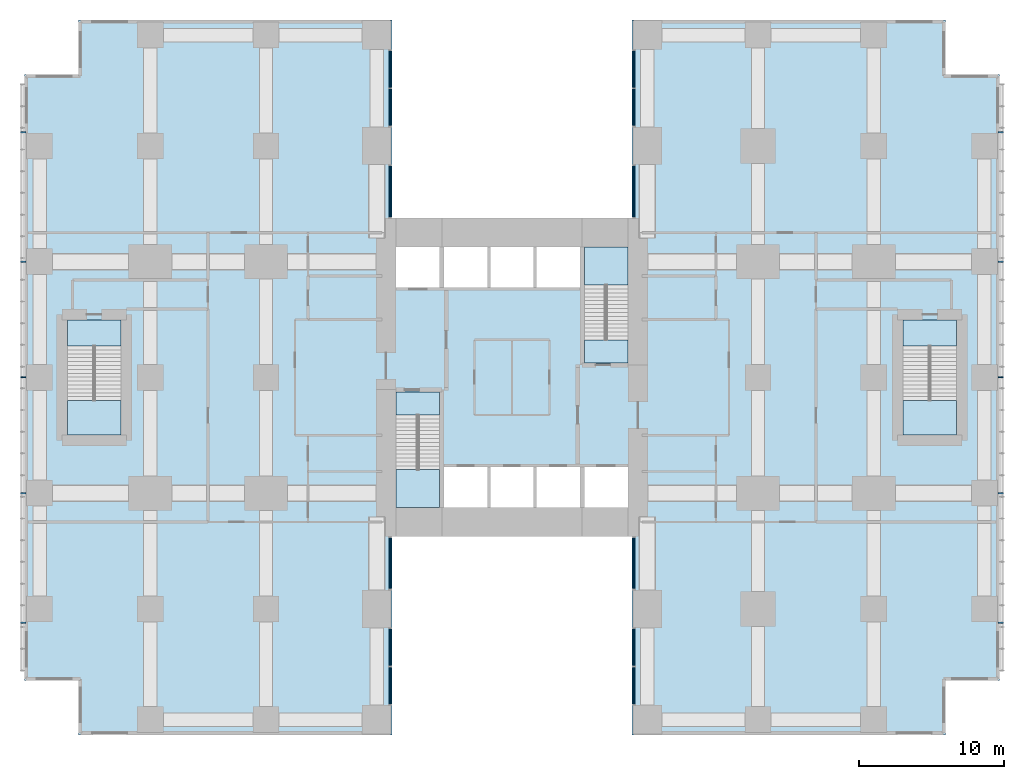
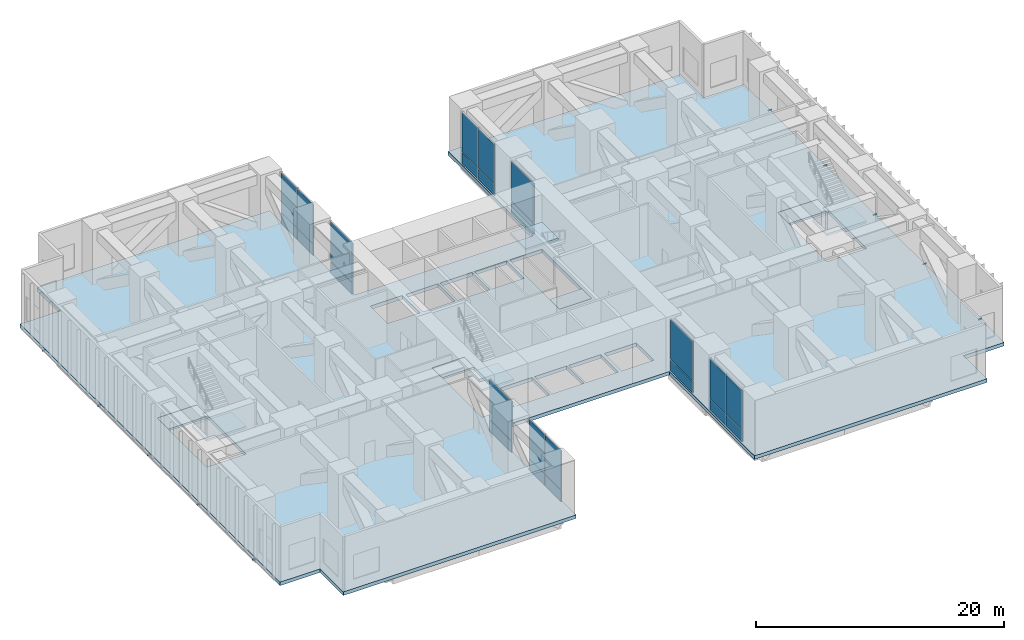
# One storey, part 6 of 15: 24 plates, 10 members, 9 slabs, 12 elements without a shape of their own.
"""IFC4 building model written with IfcOpenShell, lengths in metres."""

from ifc_helpers import new_model, si_unit, direction, frame, origin, origin_2d, place, context, subcontext, project, spatial, polyline, rectangle, hollow_rectangle, outline, extrude, material, layer, layer_set, material_profile, profile_set, type_object, element, aggregate, save


model = new_model("IFC4")

# Units and contexts
model_context = context("Model", 3, precision=1e-05, world=origin(), true_north=direction((0.0, 1.0)))
body_context = subcontext(model_context, "Body", "Model", "MODEL_VIEW")
ifc_project = project(units=[si_unit("LENGTHUNIT", "METRE"), si_unit("AREAUNIT", "SQUARE_METRE"), si_unit("VOLUMEUNIT", "CUBIC_METRE"), si_unit("PLANEANGLEUNIT", "RADIAN"), si_unit("MASSUNIT", "GRAM", prefix="KILO")], contexts=[model_context])

# Site, building, storey
site_placement = place(None, origin())
site = spatial("IfcSite", under=ifc_project, at=site_placement, CompositionType="ELEMENT")
building_placement = place(site_placement, origin())
building = spatial("IfcBuilding", under=site, at=building_placement, Name="Cleftline Residences", CompositionType="ELEMENT")
storey_placement = place(building_placement, frame((0.0, 0.0, 171.800048828125)))
storey = spatial("IfcBuildingStorey", under=building, at=storey_placement, Name="L45", CompositionType="ELEMENT", Elevation=171.800048828125)

# Members
ifc_material_1 = material(Name="Steel S355, hot-dip galvanised", Category="steel")
ifc_material_profile = material_profile(ifc_material_1, hollow_rectangle(XDim=0.10009765625, YDim=0.10009765625, WallThickness=0.008056640625, InnerFilletRadius=0.008056640625, OuterFilletRadius=0.011962890625, at=origin_2d()))
ifc_profile_set = profile_set([ifc_material_profile], Name="Steel S355, hot-dip galvanised")
member_type = type_object("IfcMemberType", Name="BAGUETTE BRACKET SHS 100X100X8", PredefinedType="USERDEFINED", material=ifc_profile_set)
for number, where, z_axis, x_axis, name in (
    (1, (66.60009765625, 7.050048828125, -0.150146484375), (1.0, 0.0, 0.0), (0.0, 1.0, 0.0), "Baguette bracket"),
    (2, (66.60009765625, 16.0, -0.150146484375), (1.0, 0.0, 0.0), (0.0, 1.0, 0.0), "Baguette bracket"),
    (3, (66.60009765625, 24.0, -0.150146484375), (1.0, 0.0, 0.0), (0.0, 1.0, 0.0), "Baguette bracket"),
    (4, (66.60009765625, 32.0, -0.150146484375), (1.0, 0.0, 0.0), (0.0, 1.0, 0.0), "Baguette bracket"),
    (5, (66.60009765625, 40.949951171875, -0.150146484375), (1.0, 0.0, 0.0), (0.0, 1.0, 0.0), "Baguette bracket"),
    (6, (-0.60009765625, 40.949951171875, -0.150146484375), (-1.0, 0.0, 0.0), (0.0, -1.0, 0.0), "Baguette bracket"),
    (7, (-0.60009765625, 32.0, -0.150146484375), (-1.0, 0.0, 0.0), (0.0, -1.0, 0.0), "Baguette bracket"),
    (8, (-0.60009765625, 24.0, -0.150146484375), (-1.0, 0.0, 0.0), (0.0, -1.0, 0.0), "Baguette bracket"),
    (9, (-0.60009765625, 16.0, -0.150146484375), (-1.0, 0.0, 0.0), (0.0, -1.0, 0.0), "Baguette bracket"),
    (10, (-0.60009765625, 7.050048828125, -0.150146484375), (-1.0, 0.0, 0.0), (0.0, -1.0, 0.0), "Baguette bracket"),
):
    element("IfcMember", number, at=place(storey_placement, frame(where, z_axis=z_axis, x_axis=x_axis)), inside=storey, type_object=member_type, Name=name, ObjectType="BAGUETTE BRACKET", PredefinedType="USERDEFINED", context=body_context, shape_type="SweptSolid", body=[
        extrude(hollow_rectangle(XDim=0.10009765625, YDim=0.10009765625, WallThickness=0.008056640625, InnerFilletRadius=0.008056640625, OuterFilletRadius=0.011962890625, at=origin_2d()), origin(), (0.0, 0.0, 1.0), 0.349853515625),
    ])

# Curtain wall, plates
ifc_material_2 = material(Name="Aluminium framed louvre screen", Category="aluminium")
ifc_layer_1 = layer(ifc_material_2, 0.25)
ifc_layer_set_1 = layer_set([ifc_layer_1], Name="CW6 REFUGE LOUVRE SCREEN")
curtain_wall_type = type_object("IfcCurtainWallType", Name="CW6 REFUGE LOUVRE SCREEN", PredefinedType="NOTDEFINED", material=ifc_layer_set_1)
curtain_wall_1_placement = place(storey_placement, origin())
curtain_wall_1 = element("IfcCurtainWall", 11, at=curtain_wall_1_placement, inside=storey, type_object=curtain_wall_type, Name="Louvre screen CW6", PredefinedType="NOTDEFINED")
ifc_material_3 = material(Name="Extruded aluminium louvre blades", Category="aluminium")
ifc_layer_2 = layer(ifc_material_3, 0.10009765625)
ifc_layer_set_2 = layer_set([ifc_layer_2], Name="CW6 LOUVRE BLADE PANEL")
plate_type = type_object("IfcPlateType", Name="CW6 LOUVRE BLADE PANEL", PredefinedType="USERDEFINED", material=ifc_layer_set_2)
plate_1_placement = place(storey_placement, frame((24.574951171875, 2.70751953125, 0.079833984375), z_axis=(0.0, 0.0, 1.0), x_axis=(0.0, 1.0, 0.0)))
plate_1 = element("IfcPlate", 12, at=plate_1_placement, type_object=plate_type, Name="CW6 louvre panel 1.1", ObjectType="LOUVRE", PredefinedType="USERDEFINED", context=body_context, shape_type="SweptSolid", body=[
    extrude(rectangle(XDim=2.554931640625, YDim=0.10009765625, at=origin_2d()), origin(), (0.0, 0.0, 1.0), 1.080078125),
])
plate_2_placement = place(storey_placement, frame((24.574951171875, 2.70751953125, 1.239990234375), z_axis=(0.0, 0.0, 1.0), x_axis=(0.0, 1.0, 0.0)))
plate_2 = element("IfcPlate", 13, at=plate_2_placement, type_object=plate_type, Name="CW6 louvre panel 1.2", ObjectType="LOUVRE", PredefinedType="USERDEFINED", context=body_context, shape_type="SweptSolid", body=[
    extrude(rectangle(XDim=2.554931640625, YDim=0.10009765625, at=origin_2d()), origin(), (0.0, 0.0, 1.0), 3.830078125),
])
plate_3_placement = place(storey_placement, frame((24.574951171875, 5.342529296875, 0.079833984375), z_axis=(0.0, 0.0, 1.0), x_axis=(0.0, 1.0, 0.0)))
plate_3 = element("IfcPlate", 14, at=plate_3_placement, type_object=plate_type, Name="CW6 louvre panel 2.1", ObjectType="LOUVRE", PredefinedType="USERDEFINED", context=body_context, shape_type="SweptSolid", body=[
    extrude(rectangle(XDim=2.554931640625, YDim=0.10009765625, at=origin_2d()), origin(), (0.0, 0.0, 1.0), 1.080078125),
])
plate_4_placement = place(storey_placement, frame((24.574951171875, 5.342529296875, 1.239990234375), z_axis=(0.0, 0.0, 1.0), x_axis=(0.0, 1.0, 0.0)))
plate_4 = element("IfcPlate", 15, at=plate_4_placement, type_object=plate_type, Name="CW6 louvre panel 2.2", ObjectType="LOUVRE", PredefinedType="USERDEFINED", context=body_context, shape_type="SweptSolid", body=[
    extrude(rectangle(XDim=2.554931640625, YDim=0.10009765625, at=origin_2d()), origin(), (0.0, 0.0, 1.0), 3.830078125),
])
aggregate(curtain_wall_1, [plate_1, plate_2, plate_3, plate_4])

curtain_wall_2_placement = place(storey_placement, origin())
curtain_wall_2 = element("IfcCurtainWall", 16, at=curtain_wall_2_placement, inside=storey, type_object=curtain_wall_type, Name="Louvre screen CW6", PredefinedType="NOTDEFINED")
plate_5_placement = place(storey_placement, frame((24.574951171875, 11.14990234375, 0.079833984375), z_axis=(0.0, 0.0, 1.0), x_axis=(0.0, 1.0, 0.0)))
plate_5 = element("IfcPlate", 17, at=plate_5_placement, type_object=plate_type, Name="CW6 louvre panel 1.1", ObjectType="LOUVRE", PredefinedType="USERDEFINED", context=body_context, shape_type="SweptSolid", body=[
    extrude(rectangle(XDim=3.5400390625, YDim=0.10009765625, at=origin_2d()), origin(), (0.0, 0.0, 1.0), 1.080078125),
])
plate_6_placement = place(storey_placement, frame((24.574951171875, 11.14990234375, 1.239990234375), z_axis=(0.0, 0.0, 1.0), x_axis=(0.0, 1.0, 0.0)))
plate_6 = element("IfcPlate", 18, at=plate_6_placement, type_object=plate_type, Name="CW6 louvre panel 1.2", ObjectType="LOUVRE", PredefinedType="USERDEFINED", context=body_context, shape_type="SweptSolid", body=[
    extrude(rectangle(XDim=3.5400390625, YDim=0.10009765625, at=origin_2d()), origin(), (0.0, 0.0, 1.0), 3.830078125),
])
aggregate(curtain_wall_2, [plate_5, plate_6])

curtain_wall_3_placement = place(storey_placement, origin())
curtain_wall_3 = element("IfcCurtainWall", 19, at=curtain_wall_3_placement, inside=storey, type_object=curtain_wall_type, Name="Louvre screen CW6", PredefinedType="NOTDEFINED")
plate_7_placement = place(storey_placement, frame((41.425048828125, 11.14990234375, 0.079833984375), z_axis=(0.0, 0.0, 1.0), x_axis=(0.0, -1.0, 0.0)))
plate_7 = element("IfcPlate", 20, at=plate_7_placement, type_object=plate_type, Name="CW6 louvre panel 1.1", ObjectType="LOUVRE", PredefinedType="USERDEFINED", context=body_context, shape_type="SweptSolid", body=[
    extrude(rectangle(XDim=3.5400390625, YDim=0.10009765625, at=origin_2d()), origin(), (0.0, 0.0, 1.0), 1.080078125),
])
plate_8_placement = place(storey_placement, frame((41.425048828125, 11.14990234375, 1.239990234375), z_axis=(0.0, 0.0, 1.0), x_axis=(0.0, -1.0, 0.0)))
plate_8 = element("IfcPlate", 21, at=plate_8_placement, type_object=plate_type, Name="CW6 louvre panel 1.2", ObjectType="LOUVRE", PredefinedType="USERDEFINED", context=body_context, shape_type="SweptSolid", body=[
    extrude(rectangle(XDim=3.5400390625, YDim=0.10009765625, at=origin_2d()), origin(), (0.0, 0.0, 1.0), 3.830078125),
])
aggregate(curtain_wall_3, [plate_7, plate_8])

curtain_wall_4_placement = place(storey_placement, origin())
curtain_wall_4 = element("IfcCurtainWall", 22, at=curtain_wall_4_placement, inside=storey, type_object=curtain_wall_type, Name="Louvre screen CW6", PredefinedType="NOTDEFINED")
plate_9_placement = place(storey_placement, frame((41.425048828125, 5.342529296875, 0.079833984375), z_axis=(0.0, 0.0, 1.0), x_axis=(0.0, -1.0, 0.0)))
plate_9 = element("IfcPlate", 23, at=plate_9_placement, type_object=plate_type, Name="CW6 louvre panel 1.1", ObjectType="LOUVRE", PredefinedType="USERDEFINED", context=body_context, shape_type="SweptSolid", body=[
    extrude(rectangle(XDim=2.554931640625, YDim=0.10009765625, at=origin_2d()), origin(), (0.0, 0.0, 1.0), 1.080078125),
])
plate_10_placement = place(storey_placement, frame((41.425048828125, 5.342529296875, 1.239990234375), z_axis=(0.0, 0.0, 1.0), x_axis=(0.0, -1.0, 0.0)))
plate_10 = element("IfcPlate", 24, at=plate_10_placement, type_object=plate_type, Name="CW6 louvre panel 1.2", ObjectType="LOUVRE", PredefinedType="USERDEFINED", context=body_context, shape_type="SweptSolid", body=[
    extrude(rectangle(XDim=2.554931640625, YDim=0.10009765625, at=origin_2d()), origin(), (0.0, 0.0, 1.0), 3.830078125),
])
plate_11_placement = place(storey_placement, frame((41.425048828125, 2.70751953125, 0.079833984375), z_axis=(0.0, 0.0, 1.0), x_axis=(0.0, -1.0, 0.0)))
plate_11 = element("IfcPlate", 25, at=plate_11_placement, type_object=plate_type, Name="CW6 louvre panel 2.1", ObjectType="LOUVRE", PredefinedType="USERDEFINED", context=body_context, shape_type="SweptSolid", body=[
    extrude(rectangle(XDim=2.554931640625, YDim=0.10009765625, at=origin_2d()), origin(), (0.0, 0.0, 1.0), 1.080078125),
])
plate_12_placement = place(storey_placement, frame((41.425048828125, 2.70751953125, 1.239990234375), z_axis=(0.0, 0.0, 1.0), x_axis=(0.0, -1.0, 0.0)))
plate_12 = element("IfcPlate", 26, at=plate_12_placement, type_object=plate_type, Name="CW6 louvre panel 2.2", ObjectType="LOUVRE", PredefinedType="USERDEFINED", context=body_context, shape_type="SweptSolid", body=[
    extrude(rectangle(XDim=2.554931640625, YDim=0.10009765625, at=origin_2d()), origin(), (0.0, 0.0, 1.0), 3.830078125),
])
aggregate(curtain_wall_4, [plate_9, plate_10, plate_11, plate_12])

curtain_wall_5_placement = place(storey_placement, origin())
curtain_wall_5 = element("IfcCurtainWall", 27, at=curtain_wall_5_placement, inside=storey, type_object=curtain_wall_type, Name="Louvre screen CW6", PredefinedType="NOTDEFINED")
plate_13_placement = place(storey_placement, frame((41.425048828125, 45.29248046875, 0.079833984375), z_axis=(0.0, 0.0, 1.0), x_axis=(0.0, -1.0, 0.0)))
plate_13 = element("IfcPlate", 28, at=plate_13_placement, type_object=plate_type, Name="CW6 louvre panel 1.1", ObjectType="LOUVRE", PredefinedType="USERDEFINED", context=body_context, shape_type="SweptSolid", body=[
    extrude(rectangle(XDim=2.554931640625, YDim=0.10009765625, at=origin_2d()), origin(), (0.0, 0.0, 1.0), 1.080078125),
])
plate_14_placement = place(storey_placement, frame((41.425048828125, 45.29248046875, 1.239990234375), z_axis=(0.0, 0.0, 1.0), x_axis=(0.0, -1.0, 0.0)))
plate_14 = element("IfcPlate", 29, at=plate_14_placement, type_object=plate_type, Name="CW6 louvre panel 1.2", ObjectType="LOUVRE", PredefinedType="USERDEFINED", context=body_context, shape_type="SweptSolid", body=[
    extrude(rectangle(XDim=2.554931640625, YDim=0.10009765625, at=origin_2d()), origin(), (0.0, 0.0, 1.0), 3.830078125),
])
plate_15_placement = place(storey_placement, frame((41.425048828125, 42.657470703125, 0.079833984375), z_axis=(0.0, 0.0, 1.0), x_axis=(0.0, -1.0, 0.0)))
plate_15 = element("IfcPlate", 30, at=plate_15_placement, type_object=plate_type, Name="CW6 louvre panel 2.1", ObjectType="LOUVRE", PredefinedType="USERDEFINED", context=body_context, shape_type="SweptSolid", body=[
    extrude(rectangle(XDim=2.554931640625, YDim=0.10009765625, at=origin_2d()), origin(), (0.0, 0.0, 1.0), 1.080078125),
])
plate_16_placement = place(storey_placement, frame((41.425048828125, 42.657470703125, 1.239990234375), z_axis=(0.0, 0.0, 1.0), x_axis=(0.0, -1.0, 0.0)))
plate_16 = element("IfcPlate", 31, at=plate_16_placement, type_object=plate_type, Name="CW6 louvre panel 2.2", ObjectType="LOUVRE", PredefinedType="USERDEFINED", context=body_context, shape_type="SweptSolid", body=[
    extrude(rectangle(XDim=2.554931640625, YDim=0.10009765625, at=origin_2d()), origin(), (0.0, 0.0, 1.0), 3.830078125),
])
aggregate(curtain_wall_5, [plate_13, plate_14, plate_15, plate_16])

curtain_wall_6_placement = place(storey_placement, origin())
curtain_wall_6 = element("IfcCurtainWall", 32, at=curtain_wall_6_placement, inside=storey, type_object=curtain_wall_type, Name="Louvre screen CW6", PredefinedType="NOTDEFINED")
plate_17_placement = place(storey_placement, frame((41.425048828125, 36.85009765625, 0.079833984375), z_axis=(0.0, 0.0, 1.0), x_axis=(0.0, -1.0, 0.0)))
plate_17 = element("IfcPlate", 33, at=plate_17_placement, type_object=plate_type, Name="CW6 louvre panel 1.1", ObjectType="LOUVRE", PredefinedType="USERDEFINED", context=body_context, shape_type="SweptSolid", body=[
    extrude(rectangle(XDim=3.5400390625, YDim=0.10009765625, at=origin_2d()), origin(), (0.0, 0.0, 1.0), 1.080078125),
])
plate_18_placement = place(storey_placement, frame((41.425048828125, 36.85009765625, 1.239990234375), z_axis=(0.0, 0.0, 1.0), x_axis=(0.0, -1.0, 0.0)))
plate_18 = element("IfcPlate", 34, at=plate_18_placement, type_object=plate_type, Name="CW6 louvre panel 1.2", ObjectType="LOUVRE", PredefinedType="USERDEFINED", context=body_context, shape_type="SweptSolid", body=[
    extrude(rectangle(XDim=3.5400390625, YDim=0.10009765625, at=origin_2d()), origin(), (0.0, 0.0, 1.0), 3.830078125),
])
aggregate(curtain_wall_6, [plate_17, plate_18])

curtain_wall_7_placement = place(storey_placement, origin())
curtain_wall_7 = element("IfcCurtainWall", 35, at=curtain_wall_7_placement, inside=storey, type_object=curtain_wall_type, Name="Louvre screen CW6", PredefinedType="NOTDEFINED")
plate_19_placement = place(storey_placement, frame((24.574951171875, 36.85009765625, 0.079833984375), z_axis=(0.0, 0.0, 1.0), x_axis=(0.0, 1.0, 0.0)))
plate_19 = element("IfcPlate", 36, at=plate_19_placement, type_object=plate_type, Name="CW6 louvre panel 1.1", ObjectType="LOUVRE", PredefinedType="USERDEFINED", context=body_context, shape_type="SweptSolid", body=[
    extrude(rectangle(XDim=3.5400390625, YDim=0.10009765625, at=origin_2d()), origin(), (0.0, 0.0, 1.0), 1.080078125),
])
plate_20_placement = place(storey_placement, frame((24.574951171875, 36.85009765625, 1.239990234375), z_axis=(0.0, 0.0, 1.0), x_axis=(0.0, 1.0, 0.0)))
plate_20 = element("IfcPlate", 37, at=plate_20_placement, type_object=plate_type, Name="CW6 louvre panel 1.2", ObjectType="LOUVRE", PredefinedType="USERDEFINED", context=body_context, shape_type="SweptSolid", body=[
    extrude(rectangle(XDim=3.5400390625, YDim=0.10009765625, at=origin_2d()), origin(), (0.0, 0.0, 1.0), 3.830078125),
])
aggregate(curtain_wall_7, [plate_19, plate_20])

curtain_wall_8_placement = place(storey_placement, origin())
curtain_wall_8 = element("IfcCurtainWall", 38, at=curtain_wall_8_placement, inside=storey, type_object=curtain_wall_type, Name="Louvre screen CW6", PredefinedType="NOTDEFINED")
plate_21_placement = place(storey_placement, frame((24.574951171875, 42.657470703125, 0.079833984375), z_axis=(0.0, 0.0, 1.0), x_axis=(0.0, 1.0, 0.0)))
plate_21 = element("IfcPlate", 39, at=plate_21_placement, type_object=plate_type, Name="CW6 louvre panel 1.1", ObjectType="LOUVRE", PredefinedType="USERDEFINED", context=body_context, shape_type="SweptSolid", body=[
    extrude(rectangle(XDim=2.554931640625, YDim=0.10009765625, at=origin_2d()), origin(), (0.0, 0.0, 1.0), 1.080078125),
])
plate_22_placement = place(storey_placement, frame((24.574951171875, 42.657470703125, 1.239990234375), z_axis=(0.0, 0.0, 1.0), x_axis=(0.0, 1.0, 0.0)))
plate_22 = element("IfcPlate", 40, at=plate_22_placement, type_object=plate_type, Name="CW6 louvre panel 1.2", ObjectType="LOUVRE", PredefinedType="USERDEFINED", context=body_context, shape_type="SweptSolid", body=[
    extrude(rectangle(XDim=2.554931640625, YDim=0.10009765625, at=origin_2d()), origin(), (0.0, 0.0, 1.0), 3.830078125),
])
plate_23_placement = place(storey_placement, frame((24.574951171875, 45.29248046875, 0.079833984375), z_axis=(0.0, 0.0, 1.0), x_axis=(0.0, 1.0, 0.0)))
plate_23 = element("IfcPlate", 41, at=plate_23_placement, type_object=plate_type, Name="CW6 louvre panel 2.1", ObjectType="LOUVRE", PredefinedType="USERDEFINED", context=body_context, shape_type="SweptSolid", body=[
    extrude(rectangle(XDim=2.554931640625, YDim=0.10009765625, at=origin_2d()), origin(), (0.0, 0.0, 1.0), 1.080078125),
])
plate_24_placement = place(storey_placement, frame((24.574951171875, 45.29248046875, 1.239990234375), z_axis=(0.0, 0.0, 1.0), x_axis=(0.0, 1.0, 0.0)))
plate_24 = element("IfcPlate", 42, at=plate_24_placement, type_object=plate_type, Name="CW6 louvre panel 2.2", ObjectType="LOUVRE", PredefinedType="USERDEFINED", context=body_context, shape_type="SweptSolid", body=[
    extrude(rectangle(XDim=2.554931640625, YDim=0.10009765625, at=origin_2d()), origin(), (0.0, 0.0, 1.0), 3.830078125),
])
aggregate(curtain_wall_8, [plate_21, plate_22, plate_23, plate_24])

# Slab
ifc_material_4 = material(Name="Concrete B45", Category="concrete")
ifc_layer_3 = layer(ifc_material_4, 0.35009765625)
ifc_layer_set_3 = layer_set([ifc_layer_3], Name="FLOOR SLAB 350")
slab_type_1 = type_object("IfcSlabType", Name="FLOOR SLAB 350", PredefinedType="FLOOR", material=ifc_layer_set_3)
slab_1_placement = place(storey_placement, frame((0.0, 0.0, -0.35009765625)))
element("IfcSlab", 43, at=slab_1_placement, inside=storey, type_object=slab_type_1, Name="Floor slab L45", PredefinedType="FLOOR", context=body_context, shape_type="SweptSolid", body=[
    extrude(outline(polyline([(24.699951171875, 13.0), (41.300048828125, 13.0), (41.300048828125, -0.699951171875), (62.949951171875, -0.699951171875), (62.949951171875, 3.050048828125), (66.699951171875, 3.050048828125), (66.699951171875, 44.949951171875), (62.949951171875, 44.949951171875), (62.949951171875, 48.699951171875), (41.300048828125, 48.699951171875), (41.300048828125, 35.0), (24.699951171875, 35.0), (24.699951171875, 48.699951171875), (3.050048828125, 48.699951171875), (3.050048828125, 44.949951171875), (-0.699951171875, 44.949951171875), (-0.699951171875, 3.050048828125), (3.050048828125, 3.050048828125), (3.050048828125, -0.699951171875), (24.699951171875, -0.699951171875), (24.699951171875, 13.0)]), holes=[polyline([(28.0, 15.0), (28.0, 23.0), (25.0, 23.0), (25.0, 15.0), (28.0, 15.0)]), polyline([(41.0, 25.0), (41.0, 33.0), (38.0, 33.0), (38.0, 25.0), (41.0, 25.0)]), polyline([(28.0, 30.199951171875), (28.0, 33.0), (25.0, 33.0), (25.0, 30.199951171875), (28.0, 30.199951171875)]), polyline([(41.0, 15.0), (41.0, 17.800048828125), (38.0, 17.800048828125), (38.0, 15.0), (41.0, 15.0)]), polyline([(31.300048828125, 15.0), (31.300048828125, 17.800048828125), (28.300048828125, 17.800048828125), (28.300048828125, 15.0), (31.300048828125, 15.0)]), polyline([(34.5, 15.0), (34.5, 17.800048828125), (31.5, 17.800048828125), (31.5, 15.0), (34.5, 15.0)]), polyline([(37.699951171875, 15.0), (37.699951171875, 17.800048828125), (34.699951171875, 17.800048828125), (34.699951171875, 15.0), (37.699951171875, 15.0)]), polyline([(31.300048828125, 30.199951171875), (31.300048828125, 33.0), (28.300048828125, 33.0), (28.300048828125, 30.199951171875), (31.300048828125, 30.199951171875)]), polyline([(34.5, 30.199951171875), (34.5, 33.0), (31.5, 33.0), (31.5, 30.199951171875), (34.5, 30.199951171875)]), polyline([(37.699951171875, 30.199951171875), (37.699951171875, 33.0), (34.699951171875, 33.0), (34.699951171875, 30.199951171875), (37.699951171875, 30.199951171875)]), polyline([(63.72509765625, 20.02490234375), (63.72509765625, 27.97509765625), (60.02490234375, 27.97509765625), (60.02490234375, 20.02490234375), (63.72509765625, 20.02490234375)]), polyline([(5.97509765625, 20.02490234375), (5.97509765625, 27.97509765625), (2.27490234375, 27.97509765625), (2.27490234375, 20.02490234375), (5.97509765625, 20.02490234375)])]), origin(), (0.0, 0.0, 1.0), 0.35009765625),
])

# Stair, slabs
ifc_material_5 = material(Name="Concrete B45, stone treads", Category="masonry")
stair_type_1 = type_object("IfcStairType", Name="STAIR A 1450 WIDE 180 RISER", PredefinedType="HALF_TURN_STAIR", material=ifc_material_5)
stair_1_placement = place(storey_placement, origin())
stair_1 = element("IfcStair", 44, at=stair_1_placement, inside=storey, type_object=stair_type_1, Name="Stair A L45", PredefinedType="HALF_TURN_STAIR")
ifc_material_6 = material(Name="Concrete B45", Category="concrete")
ifc_layer_4 = layer(ifc_material_6, 0.199951171875)
ifc_layer_set_4 = layer_set([ifc_layer_4], Name="STAIR LANDING 200")
slab_type_2 = type_object("IfcSlabType", Name="STAIR LANDING 200", PredefinedType="LANDING", material=ifc_layer_set_4)
slab_2_placement = place(storey_placement, frame((0.0, 0.0, -0.199951171875)))
slab_2 = element("IfcSlab", 45, at=slab_2_placement, type_object=slab_type_2, Name="ST-A landing 1", PredefinedType="LANDING", context=body_context, shape_type="SweptSolid", body=[
    extrude(outline(polyline([(25.0, 21.39990234375), (28.0, 21.39990234375), (28.0, 23.0), (25.0, 23.0), (25.0, 21.39990234375)])), origin(), (0.0, 0.0, 1.0), 0.199951171875),
])
slab_3_placement = place(storey_placement, frame((0.0, 0.0, 2.5)))
slab_3 = element("IfcSlab", 46, at=slab_3_placement, type_object=slab_type_2, Name="ST-A landing 2", PredefinedType="LANDING", context=body_context, shape_type="SweptSolid", body=[
    extrude(outline(polyline([(25.0, 15.0), (28.0, 15.0), (28.0, 17.6201171875), (25.0, 17.6201171875), (25.0, 15.0)])), origin(), (0.0, 0.0, 1.0), 0.199951171875),
])
aggregate(stair_1, [slab_2, slab_3])

ifc_material_7 = material(Name="Concrete B45, stone treads", Category="masonry")
stair_type_2 = type_object("IfcStairType", Name="STAIR B 1450 WIDE 180 RISER", PredefinedType="HALF_TURN_STAIR", material=ifc_material_7)
stair_2_placement = place(storey_placement, origin())
stair_2 = element("IfcStair", 47, at=stair_2_placement, inside=storey, type_object=stair_type_2, Name="Stair B L45", PredefinedType="HALF_TURN_STAIR")
slab_4_placement = place(storey_placement, frame((0.0, 0.0, -0.199951171875)))
slab_4 = element("IfcSlab", 48, at=slab_4_placement, type_object=slab_type_2, Name="ST-B landing 1", PredefinedType="LANDING", context=body_context, shape_type="SweptSolid", body=[
    extrude(outline(polyline([(38.0, 25.0), (41.0, 25.0), (41.0, 26.60009765625), (38.0, 26.60009765625), (38.0, 25.0)])), origin(), (0.0, 0.0, 1.0), 0.199951171875),
])
slab_5_placement = place(storey_placement, frame((0.0, 0.0, 2.5)))
slab_5 = element("IfcSlab", 49, at=slab_5_placement, type_object=slab_type_2, Name="ST-B landing 2", PredefinedType="LANDING", context=body_context, shape_type="SweptSolid", body=[
    extrude(outline(polyline([(38.0, 30.3798828125), (41.0, 30.3798828125), (41.0, 33.0), (38.0, 33.0), (38.0, 30.3798828125)])), origin(), (0.0, 0.0, 1.0), 0.199951171875),
])
aggregate(stair_2, [slab_4, slab_5])

ifc_material_8 = material(Name="Concrete B45, stone treads", Category="masonry")
stair_type_3 = type_object("IfcStairType", Name="STAIR E 1800 WIDE 180 RISER", PredefinedType="HALF_TURN_STAIR", material=ifc_material_8)
stair_3_placement = place(storey_placement, origin())
stair_3 = element("IfcStair", 50, at=stair_3_placement, inside=storey, type_object=stair_type_3, Name="Stair E L45", PredefinedType="HALF_TURN_STAIR")
slab_6_placement = place(storey_placement, frame((0.0, 0.0, -0.199951171875)))
slab_6 = element("IfcSlab", 51, at=slab_6_placement, type_object=slab_type_2, Name="ST-E landing 1", PredefinedType="LANDING", context=body_context, shape_type="SweptSolid", body=[
    extrude(outline(polyline([(60.02490234375, 26.175048828125), (63.72509765625, 26.175048828125), (63.72509765625, 27.97509765625), (60.02490234375, 27.97509765625), (60.02490234375, 26.175048828125)])), origin(), (0.0, 0.0, 1.0), 0.199951171875),
])
slab_7_placement = place(storey_placement, frame((0.0, 0.0, 2.5)))
slab_7 = element("IfcSlab", 52, at=slab_7_placement, type_object=slab_type_2, Name="ST-E landing 2", PredefinedType="LANDING", context=body_context, shape_type="SweptSolid", body=[
    extrude(outline(polyline([(60.02490234375, 20.02490234375), (63.72509765625, 20.02490234375), (63.72509765625, 22.39501953125), (60.02490234375, 22.39501953125), (60.02490234375, 20.02490234375)])), origin(), (0.0, 0.0, 1.0), 0.199951171875),
])
aggregate(stair_3, [slab_6, slab_7])

ifc_material_9 = material(Name="Concrete B45, stone treads", Category="masonry")
stair_type_4 = type_object("IfcStairType", Name="STAIR W 1800 WIDE 180 RISER", PredefinedType="HALF_TURN_STAIR", material=ifc_material_9)
stair_4_placement = place(storey_placement, origin())
stair_4 = element("IfcStair", 53, at=stair_4_placement, inside=storey, type_object=stair_type_4, Name="Stair W L45", PredefinedType="HALF_TURN_STAIR")
slab_8_placement = place(storey_placement, frame((0.0, 0.0, -0.199951171875)))
slab_8 = element("IfcSlab", 54, at=slab_8_placement, type_object=slab_type_2, Name="ST-W landing 1", PredefinedType="LANDING", context=body_context, shape_type="SweptSolid", body=[
    extrude(outline(polyline([(2.27490234375, 26.175048828125), (5.97509765625, 26.175048828125), (5.97509765625, 27.97509765625), (2.27490234375, 27.97509765625), (2.27490234375, 26.175048828125)])), origin(), (0.0, 0.0, 1.0), 0.199951171875),
])
slab_9_placement = place(storey_placement, frame((0.0, 0.0, 2.5)))
slab_9 = element("IfcSlab", 55, at=slab_9_placement, type_object=slab_type_2, Name="ST-W landing 2", PredefinedType="LANDING", context=body_context, shape_type="SweptSolid", body=[
    extrude(outline(polyline([(2.27490234375, 20.02490234375), (5.97509765625, 20.02490234375), (5.97509765625, 22.39501953125), (2.27490234375, 22.39501953125), (2.27490234375, 20.02490234375)])), origin(), (0.0, 0.0, 1.0), 0.199951171875),
])
aggregate(stair_4, [slab_8, slab_9])

save(model, "model.ifc")
